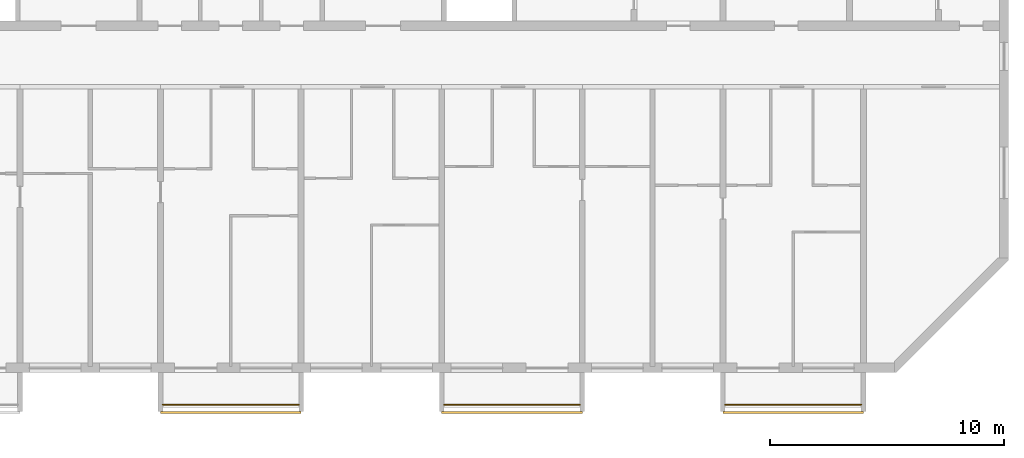
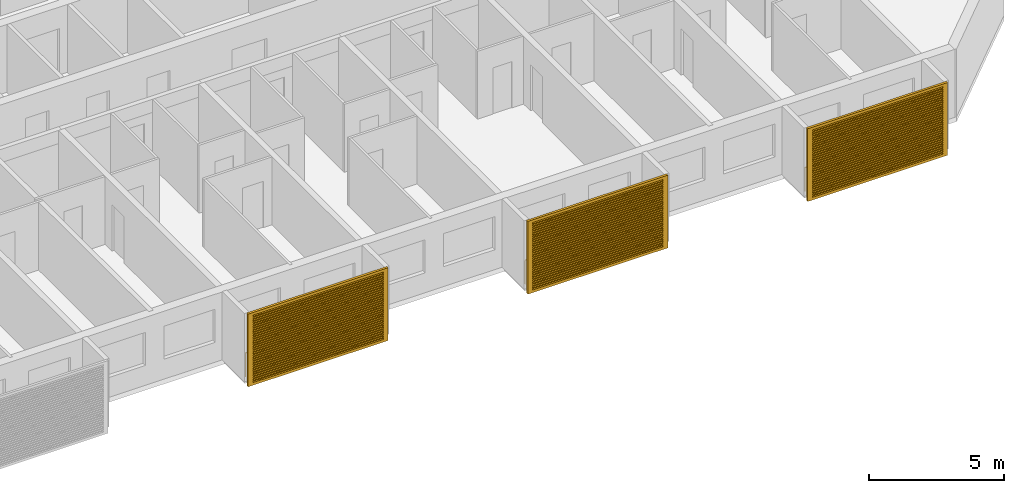
# One storey, part 14 of 27: 3 railings, 3 shading devices.
"""IFC4 building model written with IfcOpenShell, lengths in metres."""

from ifc_helpers import new_model, si_unit, direction, frame, origin, origin_2d, place, context, subcontext, project, spatial, polyline, circle, outline, extrude, source, transform, mapped, material, material_profile, profile_set, type_object, element, save


model = new_model("IFC4")

# Units and contexts
model_context = context("Model", 3, precision=1e-05, world=origin(), true_north=direction((0.0, 1.0)))
body_context = subcontext(model_context, "Body", "Model", "MODEL_VIEW")
ifc_project = project(units=[si_unit("LENGTHUNIT", "METRE"), si_unit("AREAUNIT", "SQUARE_METRE"), si_unit("VOLUMEUNIT", "CUBIC_METRE"), si_unit("PLANEANGLEUNIT", "RADIAN"), si_unit("MASSUNIT", "GRAM", prefix="KILO")], contexts=[model_context])

# Site, building, storey
site_placement = place(None, origin())
site = spatial("IfcSite", under=ifc_project, at=site_placement, CompositionType="ELEMENT")
building_placement = place(site_placement, origin())
building = spatial("IfcBuilding", under=site, at=building_placement, Name="Poui Terraces", CompositionType="ELEMENT")
storey_placement = place(building_placement, frame((0.0, 0.0, 198.300048828125)))
storey = spatial("IfcBuildingStorey", under=building, at=storey_placement, Name="L55", CompositionType="ELEMENT", Elevation=198.300048828125)

# Railings
ifc_material_1 = material(Name="Painted steel fretwork", Category="steel")
railing_type = type_object("IfcRailingType", Name="BALCONY GUARD 1100", PredefinedType="GUARDRAIL", material=ifc_material_1)
for number, where, name in (
    (1, (48.10009765625, -1.570068359375, 0.0), "BALCONY GUARD"),
    (2, (60.10009765625, -1.570068359375, 0.0), "BALCONY GUARD"),
    (3, (72.10009765625, -1.570068359375, 0.0), "BALCONY GUARD"),
):
    element("IfcRailing", number, at=place(storey_placement, frame(where)), inside=storey, type_object=railing_type, Name=name, PredefinedType="GUARDRAIL", context=body_context, shape_type="SweptSolid", body=[
        extrude(circle(Radius=0.02392578125, at=origin_2d()), frame((0.0, 0.0, 1.076171875), z_axis=(1.0, 0.0, 0.0), x_axis=(0.0, 1.0, 0.0)), (0.0, 0.0, 1.0), 5.7998046875),
        extrude(circle(Radius=0.02099609375, at=origin_2d()), origin(), (0.0, 0.0, 1.0), 1.052001953125),
        extrude(circle(Radius=0.02099609375, at=origin_2d()), frame((0.966552734375, 0.0, 0.0)), (0.0, 0.0, 1.0), 1.052001953125),
        extrude(circle(Radius=0.02099609375, at=origin_2d()), frame((1.933349609375, 0.0, 0.0)), (0.0, 0.0, 1.0), 1.052001953125),
        extrude(circle(Radius=0.02099609375, at=origin_2d()), frame((2.89990234375, 0.0, 0.0)), (0.0, 0.0, 1.0), 1.052001953125),
        extrude(circle(Radius=0.02099609375, at=origin_2d()), frame((3.866455078125, 0.0, 0.0)), (0.0, 0.0, 1.0), 1.052001953125),
        extrude(circle(Radius=0.02099609375, at=origin_2d()), frame((4.833251953125, 0.0, 0.0)), (0.0, 0.0, 1.0), 1.052001953125),
        extrude(circle(Radius=0.02099609375, at=origin_2d()), frame((5.7998046875, 0.0, 0.0)), (0.0, 0.0, 1.0), 1.052001953125),
    ])

# Shading devices
ifc_material_2 = material(Name="Aluminium louvre", Category="aluminium")
ifc_material_profile = material_profile(ifc_material_2, outline(polyline([(-3.0, -1.64990234375), (3.0, -1.64990234375), (3.0, 1.64990234375), (-3.0, 1.64990234375), (-3.0, -1.64990234375)]), holes=[polyline([(-2.800048828125, -1.530029296875), (2.800048828125, -1.530029296875), (2.800048828125, -1.469970703125), (-2.800048828125, -1.469970703125), (-2.800048828125, -1.530029296875)]), polyline([(-2.800048828125, -1.429931640625), (2.800048828125, -1.429931640625), (2.800048828125, -1.3701171875), (-2.800048828125, -1.3701171875), (-2.800048828125, -1.429931640625)]), polyline([(-2.800048828125, -1.330078125), (2.800048828125, -1.330078125), (2.800048828125, -1.27001953125), (-2.800048828125, -1.27001953125), (-2.800048828125, -1.330078125)]), polyline([(-2.800048828125, -1.22998046875), (2.800048828125, -1.22998046875), (2.800048828125, -1.169921875), (-2.800048828125, -1.169921875), (-2.800048828125, -1.22998046875)]), polyline([(-2.800048828125, -1.1298828125), (2.800048828125, -1.1298828125), (2.800048828125, -1.070068359375), (-2.800048828125, -1.070068359375), (-2.800048828125, -1.1298828125)]), polyline([(-2.800048828125, -1.030029296875), (2.800048828125, -1.030029296875), (2.800048828125, -0.969970703125), (-2.800048828125, -0.969970703125), (-2.800048828125, -1.030029296875)]), polyline([(-2.800048828125, -0.929931640625), (2.800048828125, -0.929931640625), (2.800048828125, -0.8701171875), (-2.800048828125, -0.8701171875), (-2.800048828125, -0.929931640625)]), polyline([(-2.800048828125, -0.830078125), (2.800048828125, -0.830078125), (2.800048828125, -0.77001953125), (-2.800048828125, -0.77001953125), (-2.800048828125, -0.830078125)]), polyline([(-2.800048828125, -0.72998046875), (2.800048828125, -0.72998046875), (2.800048828125, -0.669921875), (-2.800048828125, -0.669921875), (-2.800048828125, -0.72998046875)]), polyline([(-2.800048828125, -0.6298828125), (2.800048828125, -0.6298828125), (2.800048828125, -0.570068359375), (-2.800048828125, -0.570068359375), (-2.800048828125, -0.6298828125)]), polyline([(-2.800048828125, -0.530029296875), (2.800048828125, -0.530029296875), (2.800048828125, -0.469970703125), (-2.800048828125, -0.469970703125), (-2.800048828125, -0.530029296875)]), polyline([(-2.800048828125, -0.429931640625), (2.800048828125, -0.429931640625), (2.800048828125, -0.3701171875), (-2.800048828125, -0.3701171875), (-2.800048828125, -0.429931640625)]), polyline([(-2.800048828125, -0.330078125), (2.800048828125, -0.330078125), (2.800048828125, -0.27001953125), (-2.800048828125, -0.27001953125), (-2.800048828125, -0.330078125)]), polyline([(-2.800048828125, -0.22998046875), (2.800048828125, -0.22998046875), (2.800048828125, -0.169921875), (-2.800048828125, -0.169921875), (-2.800048828125, -0.22998046875)]), polyline([(-2.800048828125, -0.1298828125), (2.800048828125, -0.1298828125), (2.800048828125, -0.070068359375), (-2.800048828125, -0.070068359375), (-2.800048828125, -0.1298828125)]), polyline([(-2.800048828125, -0.030029296875), (2.800048828125, -0.030029296875), (2.800048828125, 0.030029296875), (-2.800048828125, 0.030029296875), (-2.800048828125, -0.030029296875)]), polyline([(-2.800048828125, 0.070068359375), (2.800048828125, 0.070068359375), (2.800048828125, 0.1298828125), (-2.800048828125, 0.1298828125), (-2.800048828125, 0.070068359375)]), polyline([(-2.800048828125, 0.169921875), (2.800048828125, 0.169921875), (2.800048828125, 0.22998046875), (-2.800048828125, 0.22998046875), (-2.800048828125, 0.169921875)]), polyline([(-2.800048828125, 0.27001953125), (2.800048828125, 0.27001953125), (2.800048828125, 0.330078125), (-2.800048828125, 0.330078125), (-2.800048828125, 0.27001953125)]), polyline([(-2.800048828125, 0.3701171875), (2.800048828125, 0.3701171875), (2.800048828125, 0.429931640625), (-2.800048828125, 0.429931640625), (-2.800048828125, 0.3701171875)]), polyline([(-2.800048828125, 0.469970703125), (2.800048828125, 0.469970703125), (2.800048828125, 0.530029296875), (-2.800048828125, 0.530029296875), (-2.800048828125, 0.469970703125)]), polyline([(-2.800048828125, 0.570068359375), (2.800048828125, 0.570068359375), (2.800048828125, 0.6298828125), (-2.800048828125, 0.6298828125), (-2.800048828125, 0.570068359375)]), polyline([(-2.800048828125, 0.669921875), (2.800048828125, 0.669921875), (2.800048828125, 0.72998046875), (-2.800048828125, 0.72998046875), (-2.800048828125, 0.669921875)]), polyline([(-2.800048828125, 0.77001953125), (2.800048828125, 0.77001953125), (2.800048828125, 0.830078125), (-2.800048828125, 0.830078125), (-2.800048828125, 0.77001953125)]), polyline([(-2.800048828125, 0.8701171875), (2.800048828125, 0.8701171875), (2.800048828125, 0.929931640625), (-2.800048828125, 0.929931640625), (-2.800048828125, 0.8701171875)]), polyline([(-2.800048828125, 0.969970703125), (2.800048828125, 0.969970703125), (2.800048828125, 1.030029296875), (-2.800048828125, 1.030029296875), (-2.800048828125, 0.969970703125)]), polyline([(-2.800048828125, 1.070068359375), (2.800048828125, 1.070068359375), (2.800048828125, 1.1298828125), (-2.800048828125, 1.1298828125), (-2.800048828125, 1.070068359375)]), polyline([(-2.800048828125, 1.169921875), (2.800048828125, 1.169921875), (2.800048828125, 1.22998046875), (-2.800048828125, 1.22998046875), (-2.800048828125, 1.169921875)]), polyline([(-2.800048828125, 1.27001953125), (2.800048828125, 1.27001953125), (2.800048828125, 1.330078125), (-2.800048828125, 1.330078125), (-2.800048828125, 1.27001953125)]), polyline([(-2.800048828125, 1.3701171875), (2.800048828125, 1.3701171875), (2.800048828125, 1.429931640625), (-2.800048828125, 1.429931640625), (-2.800048828125, 1.3701171875)]), polyline([(-2.800048828125, 1.469970703125), (2.800048828125, 1.469970703125), (2.800048828125, 1.530029296875), (-2.800048828125, 1.530029296875), (-2.800048828125, 1.469970703125)])]), Name="JALOUSIE LOUVRE SHUTTER 6000X3300")
ifc_profile_set = profile_set([ifc_material_profile], Name="Aluminium louvre")
shading_device_type = type_object("IfcShadingDeviceType", Name="JALOUSIE LOUVRE SHUTTER 6000X3300", PredefinedType="JALOUSIE", material=ifc_profile_set)
shared_shape = source(origin(), body_context, "Body", "SweptSolid", [
    extrude(outline(polyline([(-3.0, -1.64990234375), (3.0, -1.64990234375), (3.0, 1.64990234375), (-3.0, 1.64990234375), (-3.0, -1.64990234375)]), holes=[polyline([(-2.800048828125, -1.530029296875), (2.800048828125, -1.530029296875), (2.800048828125, -1.469970703125), (-2.800048828125, -1.469970703125), (-2.800048828125, -1.530029296875)]), polyline([(-2.800048828125, -1.429931640625), (2.800048828125, -1.429931640625), (2.800048828125, -1.3701171875), (-2.800048828125, -1.3701171875), (-2.800048828125, -1.429931640625)]), polyline([(-2.800048828125, -1.330078125), (2.800048828125, -1.330078125), (2.800048828125, -1.27001953125), (-2.800048828125, -1.27001953125), (-2.800048828125, -1.330078125)]), polyline([(-2.800048828125, -1.22998046875), (2.800048828125, -1.22998046875), (2.800048828125, -1.169921875), (-2.800048828125, -1.169921875), (-2.800048828125, -1.22998046875)]), polyline([(-2.800048828125, -1.1298828125), (2.800048828125, -1.1298828125), (2.800048828125, -1.070068359375), (-2.800048828125, -1.070068359375), (-2.800048828125, -1.1298828125)]), polyline([(-2.800048828125, -1.030029296875), (2.800048828125, -1.030029296875), (2.800048828125, -0.969970703125), (-2.800048828125, -0.969970703125), (-2.800048828125, -1.030029296875)]), polyline([(-2.800048828125, -0.929931640625), (2.800048828125, -0.929931640625), (2.800048828125, -0.8701171875), (-2.800048828125, -0.8701171875), (-2.800048828125, -0.929931640625)]), polyline([(-2.800048828125, -0.830078125), (2.800048828125, -0.830078125), (2.800048828125, -0.77001953125), (-2.800048828125, -0.77001953125), (-2.800048828125, -0.830078125)]), polyline([(-2.800048828125, -0.72998046875), (2.800048828125, -0.72998046875), (2.800048828125, -0.669921875), (-2.800048828125, -0.669921875), (-2.800048828125, -0.72998046875)]), polyline([(-2.800048828125, -0.6298828125), (2.800048828125, -0.6298828125), (2.800048828125, -0.570068359375), (-2.800048828125, -0.570068359375), (-2.800048828125, -0.6298828125)]), polyline([(-2.800048828125, -0.530029296875), (2.800048828125, -0.530029296875), (2.800048828125, -0.469970703125), (-2.800048828125, -0.469970703125), (-2.800048828125, -0.530029296875)]), polyline([(-2.800048828125, -0.429931640625), (2.800048828125, -0.429931640625), (2.800048828125, -0.3701171875), (-2.800048828125, -0.3701171875), (-2.800048828125, -0.429931640625)]), polyline([(-2.800048828125, -0.330078125), (2.800048828125, -0.330078125), (2.800048828125, -0.27001953125), (-2.800048828125, -0.27001953125), (-2.800048828125, -0.330078125)]), polyline([(-2.800048828125, -0.22998046875), (2.800048828125, -0.22998046875), (2.800048828125, -0.169921875), (-2.800048828125, -0.169921875), (-2.800048828125, -0.22998046875)]), polyline([(-2.800048828125, -0.1298828125), (2.800048828125, -0.1298828125), (2.800048828125, -0.070068359375), (-2.800048828125, -0.070068359375), (-2.800048828125, -0.1298828125)]), polyline([(-2.800048828125, -0.030029296875), (2.800048828125, -0.030029296875), (2.800048828125, 0.030029296875), (-2.800048828125, 0.030029296875), (-2.800048828125, -0.030029296875)]), polyline([(-2.800048828125, 0.070068359375), (2.800048828125, 0.070068359375), (2.800048828125, 0.1298828125), (-2.800048828125, 0.1298828125), (-2.800048828125, 0.070068359375)]), polyline([(-2.800048828125, 0.169921875), (2.800048828125, 0.169921875), (2.800048828125, 0.22998046875), (-2.800048828125, 0.22998046875), (-2.800048828125, 0.169921875)]), polyline([(-2.800048828125, 0.27001953125), (2.800048828125, 0.27001953125), (2.800048828125, 0.330078125), (-2.800048828125, 0.330078125), (-2.800048828125, 0.27001953125)]), polyline([(-2.800048828125, 0.3701171875), (2.800048828125, 0.3701171875), (2.800048828125, 0.429931640625), (-2.800048828125, 0.429931640625), (-2.800048828125, 0.3701171875)]), polyline([(-2.800048828125, 0.469970703125), (2.800048828125, 0.469970703125), (2.800048828125, 0.530029296875), (-2.800048828125, 0.530029296875), (-2.800048828125, 0.469970703125)]), polyline([(-2.800048828125, 0.570068359375), (2.800048828125, 0.570068359375), (2.800048828125, 0.6298828125), (-2.800048828125, 0.6298828125), (-2.800048828125, 0.570068359375)]), polyline([(-2.800048828125, 0.669921875), (2.800048828125, 0.669921875), (2.800048828125, 0.72998046875), (-2.800048828125, 0.72998046875), (-2.800048828125, 0.669921875)]), polyline([(-2.800048828125, 0.77001953125), (2.800048828125, 0.77001953125), (2.800048828125, 0.830078125), (-2.800048828125, 0.830078125), (-2.800048828125, 0.77001953125)]), polyline([(-2.800048828125, 0.8701171875), (2.800048828125, 0.8701171875), (2.800048828125, 0.929931640625), (-2.800048828125, 0.929931640625), (-2.800048828125, 0.8701171875)]), polyline([(-2.800048828125, 0.969970703125), (2.800048828125, 0.969970703125), (2.800048828125, 1.030029296875), (-2.800048828125, 1.030029296875), (-2.800048828125, 0.969970703125)]), polyline([(-2.800048828125, 1.070068359375), (2.800048828125, 1.070068359375), (2.800048828125, 1.1298828125), (-2.800048828125, 1.1298828125), (-2.800048828125, 1.070068359375)]), polyline([(-2.800048828125, 1.169921875), (2.800048828125, 1.169921875), (2.800048828125, 1.22998046875), (-2.800048828125, 1.22998046875), (-2.800048828125, 1.169921875)]), polyline([(-2.800048828125, 1.27001953125), (2.800048828125, 1.27001953125), (2.800048828125, 1.330078125), (-2.800048828125, 1.330078125), (-2.800048828125, 1.27001953125)]), polyline([(-2.800048828125, 1.3701171875), (2.800048828125, 1.3701171875), (2.800048828125, 1.429931640625), (-2.800048828125, 1.429931640625), (-2.800048828125, 1.3701171875)]), polyline([(-2.800048828125, 1.469970703125), (2.800048828125, 1.469970703125), (2.800048828125, 1.530029296875), (-2.800048828125, 1.530029296875), (-2.800048828125, 1.469970703125)])]), origin(), (0.0, 0.0, 1.0), 0.099853515625),
])
for number, where, z_axis, x_axis, name in (
    (4, (51.0, -1.85009765625, 1.449951171875), (0.0, -1.0, 0.0), (1.0, 0.0, 0.0), "JALOUSIE LOUVRE SHUTTER"),
    (5, (63.0, -1.85009765625, 1.449951171875), (0.0, -1.0, 0.0), (1.0, 0.0, 0.0), "JALOUSIE LOUVRE SHUTTER"),
    (6, (75.0, -1.85009765625, 1.449951171875), (0.0, -1.0, 0.0), (1.0, 0.0, 0.0), "JALOUSIE LOUVRE SHUTTER"),
):
    element("IfcShadingDevice", number, at=place(storey_placement, frame(where, z_axis=z_axis, x_axis=x_axis)), inside=storey, type_object=shading_device_type, Name=name, PredefinedType="JALOUSIE", context=body_context, shape_type="MappedRepresentation", body=[
        mapped(shared_shape, transform((0.0, 0.0, 0.0))),
    ])

save(model, "model.ifc")
